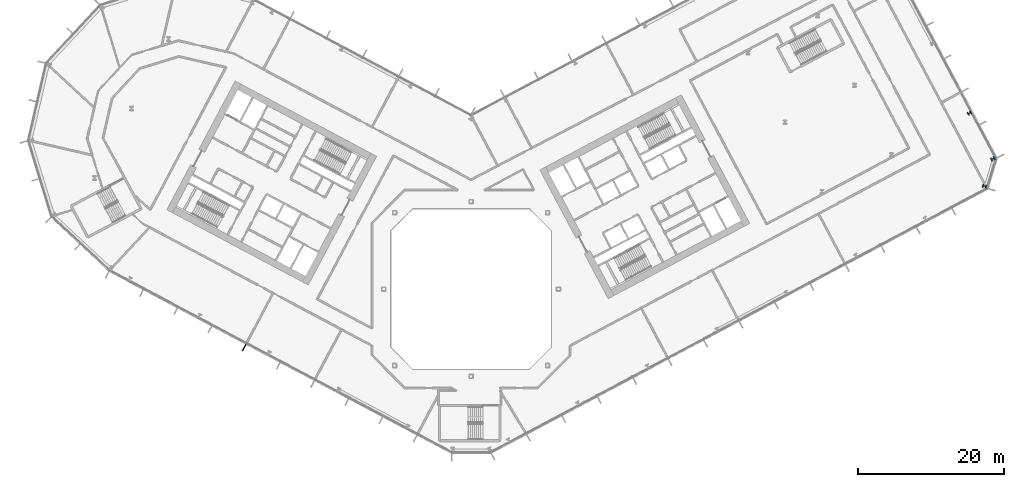
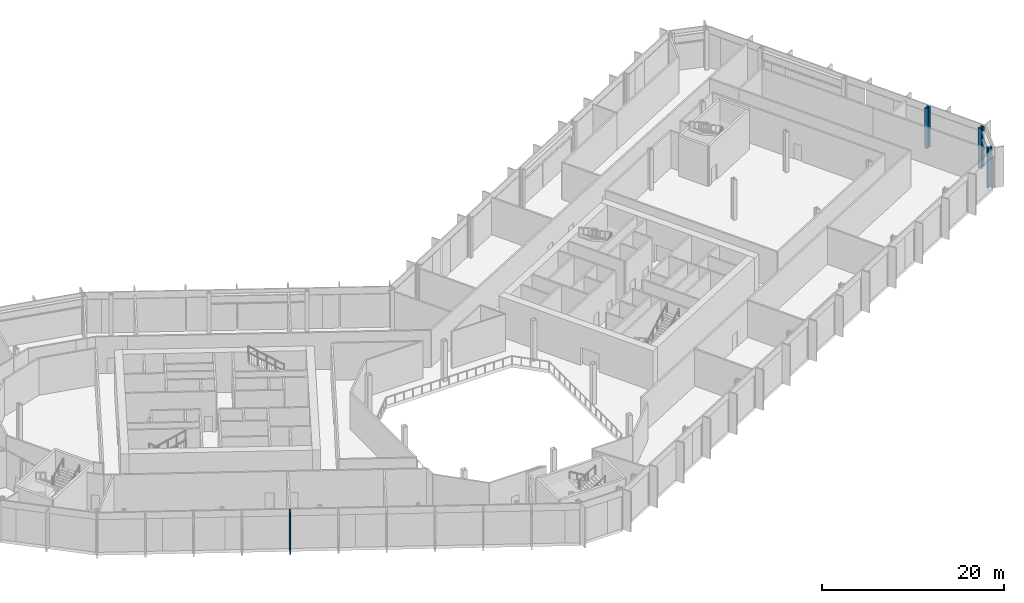
# One storey, part 5 of 32: 3 columns, 1 member, 1 element without a shape of its own.
"""IFC4 building model written with IfcOpenShell, lengths in metres."""

from ifc_helpers import new_model, si_unit, direction, frame, origin, origin_2d, place, context, subcontext, project, spatial, rectangle, i_section, extrude, material, layer, layer_set, material_profile, profile_set, type_object, element, aggregate, save


model = new_model("IFC4")

# Units and contexts
model_context = context("Model", 3, precision=1e-05, world=origin(), true_north=direction((0.0, 1.0)))
body_context = subcontext(model_context, "Body", "Model", "MODEL_VIEW")
ifc_project = project(units=[si_unit("LENGTHUNIT", "METRE"), si_unit("AREAUNIT", "SQUARE_METRE"), si_unit("VOLUMEUNIT", "CUBIC_METRE"), si_unit("PLANEANGLEUNIT", "RADIAN"), si_unit("MASSUNIT", "GRAM", prefix="KILO")], contexts=[model_context])

# Site, building, storey
site_placement = place(None, origin())
site = spatial("IfcSite", under=ifc_project, at=site_placement, CompositionType="ELEMENT")
building_placement = place(site_placement, origin())
building = spatial("IfcBuilding", under=site, at=building_placement, Name="Cormorant Relay Tower", CompositionType="ELEMENT")
storey_placement = place(building_placement, frame((0.0, 0.0, 17.60009765625)))
storey = spatial("IfcBuildingStorey", under=building, at=storey_placement, Name="L03", CompositionType="ELEMENT", Elevation=17.60009765625)

# Columns
ifc_material_1 = material(Name="Steel ASTM A992 (Fy 345 MPa)", Category="steel")
ifc_material_profile_1 = material_profile(ifc_material_1, i_section(OverallWidth=0.45458984375, OverallDepth=0.569091796875, WebThickness=0.077880859375, FlangeThickness=0.124755859375, FilletRadius=0.015380859375, at=origin_2d()), Name="W360x1086")
ifc_profile_set_1 = profile_set([ifc_material_profile_1], Name="Steel ASTM A992 (Fy 345 MPa)")
column_type_1 = type_object("IfcColumnType", Name="Column W360x1086", PredefinedType="COLUMN", material=ifc_profile_set_1)
for number, where, z_axis, x_axis, name in (
    (1, (70.47412109375, 14.10595703125, 0.0), (0.0, 0.0, 1.0), (0.292371704723, 0.956304755963, 0.0), "Column L03-026"),
    (2, (71.625, 17.87109375, 0.0), (0.0, 0.0, 1.0), (-0.469471562786, 0.882947592859, 0.0), "Column L03-028"),
):
    element("IfcColumn", number, at=place(storey_placement, frame(where, z_axis=z_axis, x_axis=x_axis)), inside=storey, type_object=column_type_1, Name=name, PredefinedType="COLUMN", context=body_context, shape_type="SweptSolid", body=[
        extrude(i_section(OverallWidth=0.45458984375, OverallDepth=0.569091796875, WebThickness=0.077880859375, FlangeThickness=0.124755859375, FilletRadius=0.015380859375, at=origin_2d()), origin(), (0.0, 0.0, 1.0), 5.39990234375),
    ])
ifc_material_2 = material(Name="Steel ASTM A992 (Fy 345 MPa)", Category="steel")
ifc_material_profile_2 = material_profile(ifc_material_2, i_section(OverallWidth=0.43701171875, OverallDepth=0.51318359375, WebThickness=0.060546875, FlangeThickness=0.096923828125, FilletRadius=0.015380859375, at=origin_2d()), Name="W360x818")
ifc_profile_set_2 = profile_set([ifc_material_profile_2], Name="Steel ASTM A992 (Fy 345 MPa)")
column_type_2 = type_object("IfcColumnType", Name="Column W360x818", PredefinedType="COLUMN", material=ifc_profile_set_2)
column_placement = place(storey_placement, frame((68.4130859375, 24.14404296875, 0.0), z_axis=(0.0, 0.0, 1.0), x_axis=(-0.469471562786, 0.882947592859, 0.0)))
element("IfcColumn", 3, at=column_placement, inside=storey, type_object=column_type_2, Name="Column L03-033", PredefinedType="COLUMN", context=body_context, shape_type="SweptSolid", body=[
    extrude(i_section(OverallWidth=0.43701171875, OverallDepth=0.51318359375, WebThickness=0.060546875, FlangeThickness=0.096923828125, FilletRadius=0.015380859375, at=origin_2d()), origin(), (0.0, 0.0, 1.0), 5.39990234375),
])

# Curtain wall, member
ifc_material_3 = material(Name="Aluminium 6063-T6 anodised bronze", Category="aluminium")
ifc_layer = layer(ifc_material_3, 0.235107421875)
ifc_layer_set = layer_set([ifc_layer], Name="CW6 data hall curtain wall with mineral wool panels")
curtain_wall_type = type_object("IfcCurtainWallType", Name="CW6 data hall curtain wall with mineral wool panels", PredefinedType="NOTDEFINED", material=ifc_layer_set)
curtain_wall_placement = place(storey_placement, origin())
curtain_wall = element("IfcCurtainWall", 4, at=curtain_wall_placement, inside=storey, type_object=curtain_wall_type, Name="CW6 curtain wall 14", PredefinedType="NOTDEFINED")
ifc_material_4 = material(Name="Aluminium 6063-T6 anodised bronze", Category="aluminium")
ifc_material_profile_3 = material_profile(ifc_material_4, rectangle(XDim=0.14990234375, YDim=1.0, at=origin_2d()), Name="AL 150x1000")
ifc_profile_set_3 = profile_set([ifc_material_profile_3], Name="Aluminium 6063-T6 anodised bronze")
member_type = type_object("IfcMemberType", Name="CW6 bronze fin mullion 150 x 1000", PredefinedType="MULLION", material=ifc_profile_set_3)
member_placement = place(storey_placement, frame((-31.159423828125, -8.048583984375, 0.0), z_axis=(0.0, 0.0, 1.0), x_axis=(0.882947592859, -0.469471562786, 0.0)))
member = element("IfcMember", 5, at=member_placement, type_object=member_type, Name="CW6 fin 14.5", PredefinedType="MULLION", context=body_context, shape_type="SweptSolid", body=[
    extrude(rectangle(XDim=0.14990234375, YDim=1.0, at=origin_2d()), origin(), (0.0, 0.0, 1.0), 5.39990234375),
])
aggregate(curtain_wall, [member])

save(model, "model.ifc")
